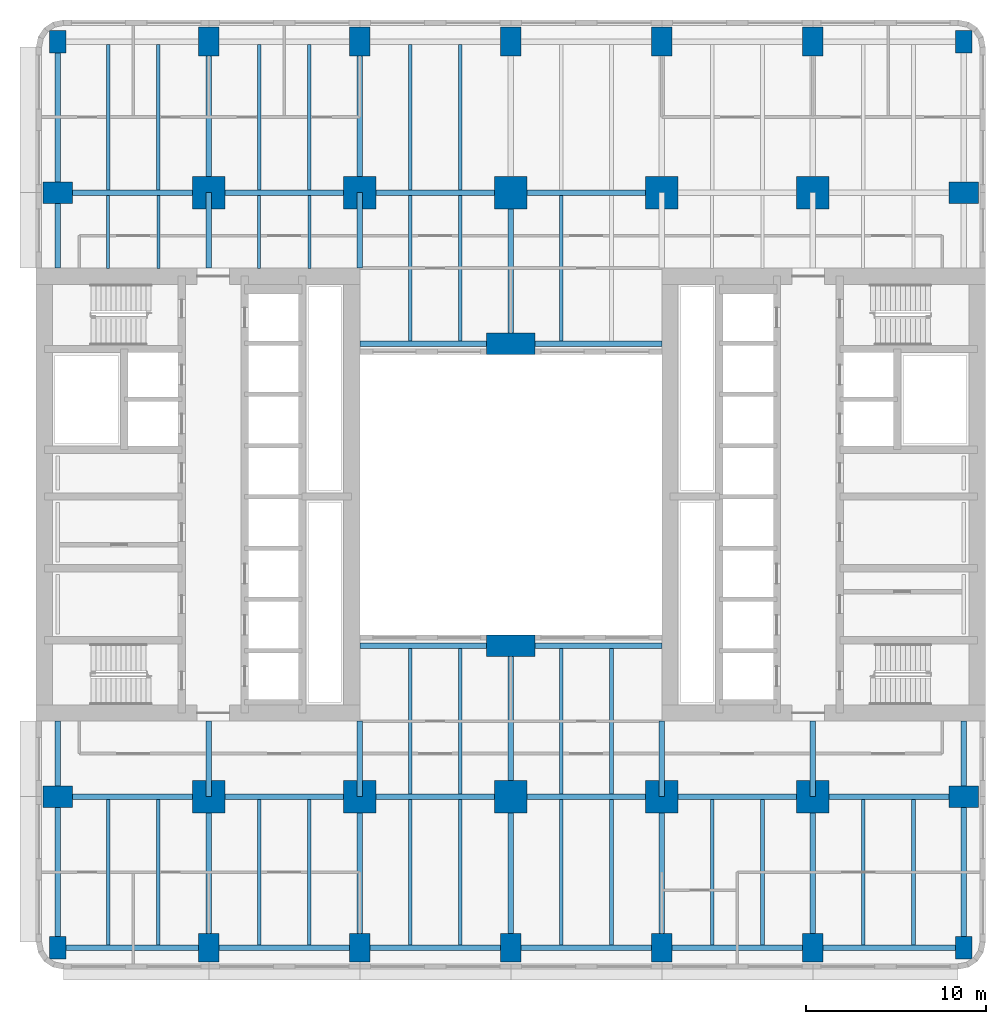
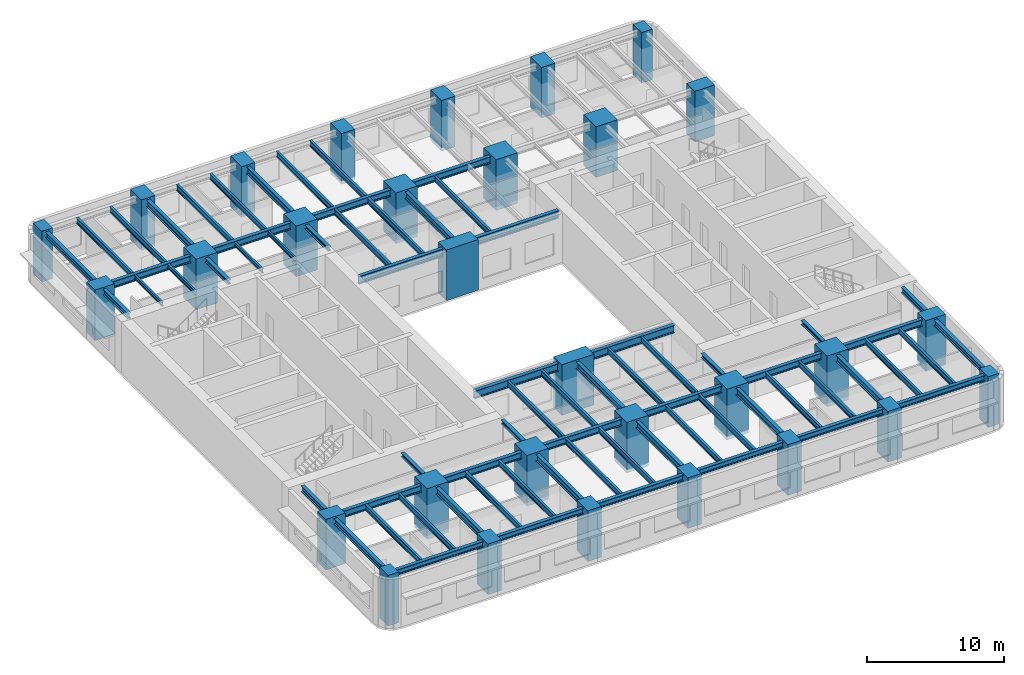
# One storey, part 1 of 14: 70 beams, 30 columns.
"""IFC4 building model written with IfcOpenShell, lengths in metres."""

from ifc_helpers import new_model, si_unit, direction, frame, origin, origin_2d, place, context, subcontext, project, spatial, rectangle, i_section, extrude, material, material_profile, profile_set, type_object, element, save


model = new_model("IFC4")

# Units and contexts
model_context = context("Model", 3, precision=1e-05, world=origin(), true_north=direction((0.0, 1.0)))
body_context = subcontext(model_context, "Body", "Model", "MODEL_VIEW")
ifc_project = project(units=[si_unit("LENGTHUNIT", "METRE"), si_unit("AREAUNIT", "SQUARE_METRE"), si_unit("VOLUMEUNIT", "CUBIC_METRE"), si_unit("PLANEANGLEUNIT", "RADIAN"), si_unit("MASSUNIT", "GRAM", prefix="KILO")], contexts=[model_context])

# Site, building, storey
site_placement = place(None, origin())
site = spatial("IfcSite", under=ifc_project, at=site_placement, CompositionType="ELEMENT")
building_placement = place(site_placement, origin())
building = spatial("IfcBuilding", under=site, at=building_placement, Name="Claustro Exchange Tower", CompositionType="ELEMENT")
storey_placement = place(building_placement, frame((0.0, 0.0, 23.39990234375)))
storey = spatial("IfcBuildingStorey", under=building, at=storey_placement, Name="L05", CompositionType="ELEMENT", Elevation=23.39990234375)

# Columns
ifc_material_1 = material(Name="Concrete HA-70 (C70/85)", Category="concrete")
ifc_material_profile_1 = material_profile(ifc_material_1, rectangle(XDim=1.800048828125, YDim=1.800048828125, at=origin_2d()), Name="RC 1800x1800")
ifc_profile_set_1 = profile_set([ifc_material_profile_1], Name="Concrete HA-70 (C70/85)")
column_type_1 = type_object("IfcColumnType", Name="C14 RC 1800x1800 HA-70 column", PredefinedType="COLUMN", material=ifc_profile_set_1)
for number, where, z_axis, x_axis, name in (
    (1, (8.39990234375, 8.39990234375, 0.0), (0.0, 0.0, 1.0), (1.0, 0.0, 0.0), "Column C14 2/B L05"),
    (2, (8.39990234375, 42.0, 0.0), (0.0, 0.0, 1.0), (1.0, 0.0, 0.0), "Column C14 2/F L05"),
    (3, (16.800048828125, 8.39990234375, 0.0), (0.0, 0.0, 1.0), (1.0, 0.0, 0.0), "Column C14 3/B L05"),
    (4, (16.800048828125, 42.0, 0.0), (0.0, 0.0, 1.0), (1.0, 0.0, 0.0), "Column C14 3/F L05"),
    (5, (25.199951171875, 8.39990234375, 0.0), (0.0, 0.0, 1.0), (1.0, 0.0, 0.0), "Column C14 4/B L05"),
    (6, (25.199951171875, 42.0, 0.0), (0.0, 0.0, 1.0), (1.0, 0.0, 0.0), "Column C14 4/F L05"),
    (7, (33.60009765625, 8.39990234375, 0.0), (0.0, 0.0, 1.0), (1.0, 0.0, 0.0), "Column C14 5/B L05"),
    (8, (33.60009765625, 42.0, 0.0), (0.0, 0.0, 1.0), (1.0, 0.0, 0.0), "Column C14 5/F L05"),
    (9, (42.0, 8.39990234375, 0.0), (0.0, 0.0, 1.0), (1.0, 0.0, 0.0), "Column C14 6/B L05"),
    (10, (42.0, 42.0, 0.0), (0.0, 0.0, 1.0), (1.0, 0.0, 0.0), "Column C14 6/F L05"),
):
    element("IfcColumn", number, at=place(storey_placement, frame(where, z_axis=z_axis, x_axis=x_axis)), inside=storey, type_object=column_type_1, Name=name, PredefinedType="COLUMN", context=body_context, shape_type="SweptSolid", body=[
        extrude(rectangle(XDim=1.800048828125, YDim=1.800048828125, at=origin_2d()), origin(), (0.0, 0.0, 1.0), 4.5),
    ])
ifc_material_2 = material(Name="Concrete HA-70 (C70/85)", Category="concrete")
ifc_material_profile_2 = material_profile(ifc_material_2, rectangle(XDim=1.199951171875, YDim=1.64990234375, at=origin_2d()), Name="RC 1200x1650")
ifc_profile_set_2 = profile_set([ifc_material_profile_2], Name="Concrete HA-70 (C70/85)")
column_type_2 = type_object("IfcColumnType", Name="C19 RC 1200x1650 HA-70 perimeter column", PredefinedType="COLUMN", material=ifc_profile_set_2)
for number, where, z_axis, x_axis, name in (
    (11, (0.0, 8.39990234375, 0.0), (0.0, 0.0, 1.0), (0.0, 1.0, 0.0), "Column C19 1/B L05"),
    (12, (0.0, 42.0, 0.0), (0.0, 0.0, 1.0), (0.0, 1.0, 0.0), "Column C19 1/F L05"),
    (13, (50.39990234375, 8.39990234375, 0.0), (0.0, 0.0, 1.0), (0.0, 1.0, 0.0), "Column C19 7/B L05"),
    (14, (50.39990234375, 42.0, 0.0), (0.0, 0.0, 1.0), (0.0, 1.0, 0.0), "Column C19 7/F L05"),
):
    element("IfcColumn", number, at=place(storey_placement, frame(where, z_axis=z_axis, x_axis=x_axis)), inside=storey, type_object=column_type_2, Name=name, PredefinedType="COLUMN", context=body_context, shape_type="SweptSolid", body=[
        extrude(rectangle(XDim=1.199951171875, YDim=1.64990234375, at=origin_2d()), origin(), (0.0, 0.0, 1.0), 4.5),
    ])
ifc_material_3 = material(Name="Concrete HA-70 (C70/85)", Category="concrete")
ifc_material_profile_3 = material_profile(ifc_material_3, rectangle(XDim=1.14990234375, YDim=1.60009765625, at=origin_2d()), Name="RC 1150x1600")
ifc_profile_set_3 = profile_set([ifc_material_profile_3], Name="Concrete HA-70 (C70/85)")
column_type_3 = type_object("IfcColumnType", Name="C20 RC 1150x1600 HA-70 perimeter column", PredefinedType="COLUMN", material=ifc_profile_set_3)
for number, where, z_axis, x_axis, name in (
    (15, (8.39990234375, 0.0, 0.0), (0.0, 0.0, 1.0), (1.0, 0.0, 0.0), "Column C20 2/A L05"),
    (16, (8.39990234375, 50.39990234375, 0.0), (0.0, 0.0, 1.0), (1.0, 0.0, 0.0), "Column C20 2/G L05"),
    (17, (16.800048828125, 0.0, 0.0), (0.0, 0.0, 1.0), (1.0, 0.0, 0.0), "Column C20 3/A L05"),
    (18, (16.800048828125, 50.39990234375, 0.0), (0.0, 0.0, 1.0), (1.0, 0.0, 0.0), "Column C20 3/G L05"),
    (19, (25.199951171875, 0.0, 0.0), (0.0, 0.0, 1.0), (1.0, 0.0, 0.0), "Column C20 4/A L05"),
    (20, (25.199951171875, 50.39990234375, 0.0), (0.0, 0.0, 1.0), (1.0, 0.0, 0.0), "Column C20 4/G L05"),
    (21, (33.60009765625, 0.0, 0.0), (0.0, 0.0, 1.0), (1.0, 0.0, 0.0), "Column C20 5/A L05"),
    (22, (33.60009765625, 50.39990234375, 0.0), (0.0, 0.0, 1.0), (1.0, 0.0, 0.0), "Column C20 5/G L05"),
    (23, (42.0, 0.0, 0.0), (0.0, 0.0, 1.0), (1.0, 0.0, 0.0), "Column C20 6/A L05"),
    (24, (42.0, 50.39990234375, 0.0), (0.0, 0.0, 1.0), (1.0, 0.0, 0.0), "Column C20 6/G L05"),
):
    element("IfcColumn", number, at=place(storey_placement, frame(where, z_axis=z_axis, x_axis=x_axis)), inside=storey, type_object=column_type_3, Name=name, PredefinedType="COLUMN", context=body_context, shape_type="SweptSolid", body=[
        extrude(rectangle(XDim=1.14990234375, YDim=1.60009765625, at=origin_2d()), origin(), (0.0, 0.0, 1.0), 4.5),
    ])
ifc_material_4 = material(Name="Concrete HA-70 (C70/85)", Category="concrete")
ifc_material_profile_4 = material_profile(ifc_material_4, rectangle(XDim=2.699951171875, YDim=1.199951171875, at=origin_2d()), Name="RC 2700x1200")
ifc_profile_set_4 = profile_set([ifc_material_profile_4], Name="Concrete HA-70 (C70/85)")
column_type_4 = type_object("IfcColumnType", Name="C30 RC 2700x1200 HA-70 light well column", PredefinedType="COLUMN", material=ifc_profile_set_4)
for number, where, z_axis, x_axis, name in (
    (25, (25.199951171875, 16.800048828125, 0.0), (0.0, 0.0, 1.0), (1.0, 0.0, 0.0), "Column C30 4/C L05"),
    (26, (25.199951171875, 33.60009765625, 0.0), (0.0, 0.0, 1.0), (1.0, 0.0, 0.0), "Column C30 4/E L05"),
):
    element("IfcColumn", number, at=place(storey_placement, frame(where, z_axis=z_axis, x_axis=x_axis)), inside=storey, type_object=column_type_4, Name=name, PredefinedType="COLUMN", context=body_context, shape_type="SweptSolid", body=[
        extrude(rectangle(XDim=2.699951171875, YDim=1.199951171875, at=origin_2d()), origin(), (0.0, 0.0, 1.0), 4.5),
    ])
ifc_material_5 = material(Name="Concrete HA-70 (C70/85)", Category="concrete")
ifc_material_profile_5 = material_profile(ifc_material_5, rectangle(XDim=0.89990234375, YDim=1.25, at=origin_2d()), Name="RC 900x1250")
ifc_profile_set_5 = profile_set([ifc_material_profile_5], Name="Concrete HA-70 (C70/85)")
column_type_5 = type_object("IfcColumnType", Name="C35 RC 900x1250 HA-70 corner column", PredefinedType="COLUMN", material=ifc_profile_set_5)
for number, where, z_axis, x_axis, name in (
    (27, (0.0, 0.0, 0.0), (0.0, 0.0, 1.0), (1.0, 0.0, 0.0), "Column C35 1/A L05"),
    (28, (0.0, 50.39990234375, 0.0), (0.0, 0.0, 1.0), (1.0, 0.0, 0.0), "Column C35 1/G L05"),
    (29, (50.39990234375, 0.0, 0.0), (0.0, 0.0, 1.0), (1.0, 0.0, 0.0), "Column C35 7/A L05"),
    (30, (50.39990234375, 50.39990234375, 0.0), (0.0, 0.0, 1.0), (1.0, 0.0, 0.0), "Column C35 7/G L05"),
):
    element("IfcColumn", number, at=place(storey_placement, frame(where, z_axis=z_axis, x_axis=x_axis)), inside=storey, type_object=column_type_5, Name=name, PredefinedType="COLUMN", context=body_context, shape_type="SweptSolid", body=[
        extrude(rectangle(XDim=0.89990234375, YDim=1.25, at=origin_2d()), origin(), (0.0, 0.0, 1.0), 4.5),
    ])

# Beams
ifc_material_6 = material(Name="Steel S355", Category="steel")
ifc_material_profile_6 = material_profile(ifc_material_6, i_section(OverallWidth=0.300048828125, OverallDepth=0.60009765625, WebThickness=0.015380859375, FlangeThickness=0.030029296875, FilletRadius=0.027099609375, at=origin_2d()), Name="HE 600 B")
ifc_profile_set_6 = profile_set([ifc_material_profile_6], Name="Steel S355")
beam_type_1 = type_object("IfcBeamType", Name="B1 HE 600 B floor girder", PredefinedType="BEAM", material=ifc_profile_set_6)
for number, where, z_axis, x_axis, name in (
    (31, (8.39990234375, 0.0, 4.0400390625), (0.0, 1.0, 0.0), (-1.0, 0.0, 0.0), "Beam B1 L06"),
    (32, (8.39990234375, 42.0, 4.0400390625), (0.0, 1.0, 0.0), (-1.0, 0.0, 0.0), "Beam B1 L06"),
    (33, (16.800048828125, 0.0, 4.0400390625), (0.0, 1.0, 0.0), (-1.0, 0.0, 0.0), "Beam B1 L06"),
    (34, (16.800048828125, 42.0, 4.0400390625), (0.0, 1.0, 0.0), (-1.0, 0.0, 0.0), "Beam B1 L06"),
    (35, (25.199951171875, 0.0, 4.0400390625), (0.0, 1.0, 0.0), (-1.0, 0.0, 0.0), "Beam B1 L06"),
):
    element("IfcBeam", number, at=place(storey_placement, frame(where, z_axis=z_axis, x_axis=x_axis)), inside=storey, type_object=beam_type_1, Name=name, PredefinedType="BEAM", context=body_context, shape_type="SweptSolid", body=[
        extrude(i_section(OverallWidth=0.300048828125, OverallDepth=0.60009765625, WebThickness=0.015380859375, FlangeThickness=0.030029296875, FilletRadius=0.027099609375, at=origin_2d()), origin(), (0.0, 0.0, 1.0), 8.39990234375),
    ])
beam_1_placement = place(storey_placement, frame((25.199951171875, 8.39990234375, 4.0400390625), z_axis=(0.0, 1.0, 0.0), x_axis=(-1.0, 0.0, 0.0)))
element("IfcBeam", 36, at=beam_1_placement, inside=storey, type_object=beam_type_1, Name="Beam B1 L06", PredefinedType="BEAM", context=body_context, shape_type="SweptSolid", body=[
    extrude(i_section(OverallWidth=0.300048828125, OverallDepth=0.60009765625, WebThickness=0.015380859375, FlangeThickness=0.030029296875, FilletRadius=0.027099609375, at=origin_2d()), origin(), (0.0, 0.0, 1.0), 8.400146484375),
])
for number, where, z_axis, x_axis, name in (
    (37, (25.199951171875, 33.60009765625, 4.0400390625), (0.0, 1.0, 0.0), (-1.0, 0.0, 0.0), "Beam B1 L06"),
    (38, (33.60009765625, 0.0, 4.0400390625), (0.0, 1.0, 0.0), (-1.0, 0.0, 0.0), "Beam B1 L06"),
    (39, (42.0, 0.0, 4.0400390625), (0.0, 1.0, 0.0), (-1.0, 0.0, 0.0), "Beam B1 L06"),
    (40, (0.0, 8.39990234375, 4.0400390625), (1.0, 0.0, 0.0), (0.0, 1.0, 0.0), "Beam B1 L06"),
):
    element("IfcBeam", number, at=place(storey_placement, frame(where, z_axis=z_axis, x_axis=x_axis)), inside=storey, type_object=beam_type_1, Name=name, PredefinedType="BEAM", context=body_context, shape_type="SweptSolid", body=[
        extrude(i_section(OverallWidth=0.300048828125, OverallDepth=0.60009765625, WebThickness=0.015380859375, FlangeThickness=0.030029296875, FilletRadius=0.027099609375, at=origin_2d()), origin(), (0.0, 0.0, 1.0), 8.39990234375),
    ])
beam_2_placement = place(storey_placement, frame((8.39990234375, 8.39990234375, 4.0400390625), z_axis=(1.0, 0.0, 0.0), x_axis=(0.0, 1.0, 0.0)))
element("IfcBeam", 41, at=beam_2_placement, inside=storey, type_object=beam_type_1, Name="Beam B1 L06", PredefinedType="BEAM", context=body_context, shape_type="SweptSolid", body=[
    extrude(i_section(OverallWidth=0.300048828125, OverallDepth=0.60009765625, WebThickness=0.015380859375, FlangeThickness=0.030029296875, FilletRadius=0.027099609375, at=origin_2d()), origin(), (0.0, 0.0, 1.0), 8.400146484375),
])
beam_3_placement = place(storey_placement, frame((16.800048828125, 8.39990234375, 4.0400390625), z_axis=(1.0, 0.0, 0.0), x_axis=(0.0, 1.0, 0.0)))
element("IfcBeam", 42, at=beam_3_placement, inside=storey, type_object=beam_type_1, Name="Beam B1 L06", PredefinedType="BEAM", context=body_context, shape_type="SweptSolid", body=[
    extrude(i_section(OverallWidth=0.300048828125, OverallDepth=0.60009765625, WebThickness=0.015380859375, FlangeThickness=0.030029296875, FilletRadius=0.027099609375, at=origin_2d()), origin(), (0.0, 0.0, 1.0), 8.39990234375),
])
beam_4_placement = place(storey_placement, frame((25.199951171875, 8.39990234375, 4.0400390625), z_axis=(1.0, 0.0, 0.0), x_axis=(0.0, 1.0, 0.0)))
element("IfcBeam", 43, at=beam_4_placement, inside=storey, type_object=beam_type_1, Name="Beam B1 L06", PredefinedType="BEAM", context=body_context, shape_type="SweptSolid", body=[
    extrude(i_section(OverallWidth=0.300048828125, OverallDepth=0.60009765625, WebThickness=0.015380859375, FlangeThickness=0.030029296875, FilletRadius=0.027099609375, at=origin_2d()), origin(), (0.0, 0.0, 1.0), 8.400146484375),
])
for number, where, z_axis, x_axis, name in (
    (44, (33.60009765625, 8.39990234375, 4.0400390625), (1.0, 0.0, 0.0), (0.0, 1.0, 0.0), "Beam B1 L06"),
    (45, (42.0, 8.39990234375, 4.0400390625), (1.0, 0.0, 0.0), (0.0, 1.0, 0.0), "Beam B1 L06"),
    (46, (0.0, 42.0, 4.0400390625), (1.0, 0.0, 0.0), (0.0, 1.0, 0.0), "Beam B1 L06"),
):
    element("IfcBeam", number, at=place(storey_placement, frame(where, z_axis=z_axis, x_axis=x_axis)), inside=storey, type_object=beam_type_1, Name=name, PredefinedType="BEAM", context=body_context, shape_type="SweptSolid", body=[
        extrude(i_section(OverallWidth=0.300048828125, OverallDepth=0.60009765625, WebThickness=0.015380859375, FlangeThickness=0.030029296875, FilletRadius=0.027099609375, at=origin_2d()), origin(), (0.0, 0.0, 1.0), 8.39990234375),
    ])
beam_5_placement = place(storey_placement, frame((8.39990234375, 42.0, 4.0400390625), z_axis=(1.0, 0.0, 0.0), x_axis=(0.0, 1.0, 0.0)))
element("IfcBeam", 47, at=beam_5_placement, inside=storey, type_object=beam_type_1, Name="Beam B1 L06", PredefinedType="BEAM", context=body_context, shape_type="SweptSolid", body=[
    extrude(i_section(OverallWidth=0.300048828125, OverallDepth=0.60009765625, WebThickness=0.015380859375, FlangeThickness=0.030029296875, FilletRadius=0.027099609375, at=origin_2d()), origin(), (0.0, 0.0, 1.0), 8.400146484375),
])
beam_6_placement = place(storey_placement, frame((16.800048828125, 42.0, 4.0400390625), z_axis=(1.0, 0.0, 0.0), x_axis=(0.0, 1.0, 0.0)))
element("IfcBeam", 48, at=beam_6_placement, inside=storey, type_object=beam_type_1, Name="Beam B1 L06", PredefinedType="BEAM", context=body_context, shape_type="SweptSolid", body=[
    extrude(i_section(OverallWidth=0.300048828125, OverallDepth=0.60009765625, WebThickness=0.015380859375, FlangeThickness=0.030029296875, FilletRadius=0.027099609375, at=origin_2d()), origin(), (0.0, 0.0, 1.0), 8.39990234375),
])
beam_7_placement = place(storey_placement, frame((25.199951171875, 42.0, 4.0400390625), z_axis=(1.0, 0.0, 0.0), x_axis=(0.0, 1.0, 0.0)))
element("IfcBeam", 49, at=beam_7_placement, inside=storey, type_object=beam_type_1, Name="Beam B1 L06", PredefinedType="BEAM", context=body_context, shape_type="SweptSolid", body=[
    extrude(i_section(OverallWidth=0.300048828125, OverallDepth=0.60009765625, WebThickness=0.015380859375, FlangeThickness=0.030029296875, FilletRadius=0.027099609375, at=origin_2d()), origin(), (0.0, 0.0, 1.0), 8.400146484375),
])
ifc_material_7 = material(Name="Steel S355", Category="steel")
ifc_material_profile_7 = material_profile(ifc_material_7, i_section(OverallWidth=0.300048828125, OverallDepth=0.68994140625, WebThickness=0.014404296875, FlangeThickness=0.027099609375, FilletRadius=0.027099609375, at=origin_2d()), Name="HE 700 A")
ifc_profile_set_7 = profile_set([ifc_material_profile_7], Name="Steel S355")
beam_type_2 = type_object("IfcBeamType", Name="B13 HE 700 A light well edge girder", PredefinedType="BEAM", material=ifc_profile_set_7)
beam_8_placement = place(storey_placement, frame((16.800048828125, 16.800048828125, 3.9951171875), z_axis=(1.0, 0.0, 0.0), x_axis=(0.0, 1.0, 0.0)))
element("IfcBeam", 50, at=beam_8_placement, inside=storey, type_object=beam_type_2, Name="Beam B13 L06", PredefinedType="BEAM", context=body_context, shape_type="SweptSolid", body=[
    extrude(i_section(OverallWidth=0.300048828125, OverallDepth=0.68994140625, WebThickness=0.014404296875, FlangeThickness=0.027099609375, FilletRadius=0.027099609375, at=origin_2d()), origin(), (0.0, 0.0, 1.0), 8.39990234375),
])
beam_9_placement = place(storey_placement, frame((25.199951171875, 16.800048828125, 3.9951171875), z_axis=(1.0, 0.0, 0.0), x_axis=(0.0, 1.0, 0.0)))
element("IfcBeam", 51, at=beam_9_placement, inside=storey, type_object=beam_type_2, Name="Beam B13 L06", PredefinedType="BEAM", context=body_context, shape_type="SweptSolid", body=[
    extrude(i_section(OverallWidth=0.300048828125, OverallDepth=0.68994140625, WebThickness=0.014404296875, FlangeThickness=0.027099609375, FilletRadius=0.027099609375, at=origin_2d()), origin(), (0.0, 0.0, 1.0), 8.400146484375),
])
beam_10_placement = place(storey_placement, frame((16.800048828125, 33.60009765625, 3.9951171875), z_axis=(1.0, 0.0, 0.0), x_axis=(0.0, 1.0, 0.0)))
element("IfcBeam", 52, at=beam_10_placement, inside=storey, type_object=beam_type_2, Name="Beam B13 L06", PredefinedType="BEAM", context=body_context, shape_type="SweptSolid", body=[
    extrude(i_section(OverallWidth=0.300048828125, OverallDepth=0.68994140625, WebThickness=0.014404296875, FlangeThickness=0.027099609375, FilletRadius=0.027099609375, at=origin_2d()), origin(), (0.0, 0.0, 1.0), 8.39990234375),
])
beam_11_placement = place(storey_placement, frame((25.199951171875, 33.60009765625, 3.9951171875), z_axis=(1.0, 0.0, 0.0), x_axis=(0.0, 1.0, 0.0)))
element("IfcBeam", 53, at=beam_11_placement, inside=storey, type_object=beam_type_2, Name="Beam B13 L06", PredefinedType="BEAM", context=body_context, shape_type="SweptSolid", body=[
    extrude(i_section(OverallWidth=0.300048828125, OverallDepth=0.68994140625, WebThickness=0.014404296875, FlangeThickness=0.027099609375, FilletRadius=0.027099609375, at=origin_2d()), origin(), (0.0, 0.0, 1.0), 8.400146484375),
])
ifc_material_8 = material(Name="Steel S355", Category="steel")
ifc_material_profile_8 = material_profile(ifc_material_8, i_section(OverallWidth=0.169921875, OverallDepth=0.360107421875, WebThickness=0.008056640625, FlangeThickness=0.0126953125, FilletRadius=0.01806640625, at=origin_2d()), Name="IPE 360")
ifc_profile_set_8 = profile_set([ifc_material_profile_8], Name="Steel S355")
beam_type_3 = type_object("IfcBeamType", Name="B16 IPE 360 short-span beam", PredefinedType="BEAM", material=ifc_profile_set_8)
for number, where, z_axis, x_axis, name in (
    (54, (2.800048828125, 37.7900390625, 4.16015625), (0.0, 1.0, 0.0), (-1.0, 0.0, 0.0), "Beam B16 L06"),
    (55, (5.60009765625, 37.7900390625, 4.16015625), (0.0, 1.0, 0.0), (-1.0, 0.0, 0.0), "Beam B16 L06"),
    (56, (11.199951171875, 37.7900390625, 4.16015625), (0.0, 1.0, 0.0), (-1.0, 0.0, 0.0), "Beam B16 L06"),
    (57, (14.0, 37.7900390625, 4.16015625), (0.0, 1.0, 0.0), (-1.0, 0.0, 0.0), "Beam B16 L06"),
):
    element("IfcBeam", number, at=place(storey_placement, frame(where, z_axis=z_axis, x_axis=x_axis)), inside=storey, type_object=beam_type_3, Name=name, PredefinedType="BEAM", context=body_context, shape_type="SweptSolid", body=[
        extrude(i_section(OverallWidth=0.169921875, OverallDepth=0.360107421875, WebThickness=0.008056640625, FlangeThickness=0.0126953125, FilletRadius=0.01806640625, at=origin_2d()), origin(), (0.0, 0.0, 1.0), 4.06005859375),
    ])
ifc_material_9 = material(Name="Steel S355", Category="steel")
ifc_material_profile_9 = material_profile(ifc_material_9, i_section(OverallWidth=0.199951171875, OverallDepth=0.5, WebThickness=0.01025390625, FlangeThickness=0.01611328125, FilletRadius=0.02099609375, at=origin_2d()), Name="IPE 500")
ifc_profile_set_9 = profile_set([ifc_material_profile_9], Name="Steel S355")
beam_type_4 = type_object("IfcBeamType", Name="B2 IPE 500 secondary beam", PredefinedType="BEAM", material=ifc_profile_set_9)
for number, where, z_axis, x_axis, name in (
    (58, (2.800048828125, 0.14990234375, 4.090087890625), (0.0, 1.0, 0.0), (-1.0, 0.0, 0.0), "Beam B2 L06"),
    (59, (5.60009765625, 0.14990234375, 4.090087890625), (0.0, 1.0, 0.0), (-1.0, 0.0, 0.0), "Beam B2 L06"),
    (60, (2.800048828125, 42.14990234375, 4.090087890625), (0.0, 1.0, 0.0), (-1.0, 0.0, 0.0), "Beam B2 L06"),
    (61, (5.60009765625, 42.14990234375, 4.090087890625), (0.0, 1.0, 0.0), (-1.0, 0.0, 0.0), "Beam B2 L06"),
    (62, (11.199951171875, 0.14990234375, 4.090087890625), (0.0, 1.0, 0.0), (-1.0, 0.0, 0.0), "Beam B2 L06"),
    (63, (14.0, 0.14990234375, 4.090087890625), (0.0, 1.0, 0.0), (-1.0, 0.0, 0.0), "Beam B2 L06"),
    (64, (11.199951171875, 42.14990234375, 4.090087890625), (0.0, 1.0, 0.0), (-1.0, 0.0, 0.0), "Beam B2 L06"),
    (65, (14.0, 42.14990234375, 4.090087890625), (0.0, 1.0, 0.0), (-1.0, 0.0, 0.0), "Beam B2 L06"),
    (66, (19.60009765625, 0.14990234375, 4.090087890625), (0.0, 1.0, 0.0), (-1.0, 0.0, 0.0), "Beam B2 L06"),
    (67, (22.39990234375, 0.14990234375, 4.090087890625), (0.0, 1.0, 0.0), (-1.0, 0.0, 0.0), "Beam B2 L06"),
):
    element("IfcBeam", number, at=place(storey_placement, frame(where, z_axis=z_axis, x_axis=x_axis)), inside=storey, type_object=beam_type_4, Name=name, PredefinedType="BEAM", context=body_context, shape_type="SweptSolid", body=[
        extrude(i_section(OverallWidth=0.199951171875, OverallDepth=0.5, WebThickness=0.01025390625, FlangeThickness=0.01611328125, FilletRadius=0.02099609375, at=origin_2d()), origin(), (0.0, 0.0, 1.0), 8.10009765625),
    ])
for number, where, z_axis, x_axis, name in (
    (68, (19.60009765625, 8.550048828125, 4.090087890625), (0.0, 1.0, 0.0), (-1.0, 0.0, 0.0), "Beam B2 L06"),
    (69, (22.39990234375, 8.550048828125, 4.090087890625), (0.0, 1.0, 0.0), (-1.0, 0.0, 0.0), "Beam B2 L06"),
):
    element("IfcBeam", number, at=place(storey_placement, frame(where, z_axis=z_axis, x_axis=x_axis)), inside=storey, type_object=beam_type_4, Name=name, PredefinedType="BEAM", context=body_context, shape_type="SweptSolid", body=[
        extrude(i_section(OverallWidth=0.199951171875, OverallDepth=0.5, WebThickness=0.01025390625, FlangeThickness=0.01611328125, FilletRadius=0.02099609375, at=origin_2d()), origin(), (0.0, 0.0, 1.0), 8.099853515625),
    ])
for number, where, z_axis, x_axis, name in (
    (70, (19.60009765625, 33.75, 4.090087890625), (0.0, 1.0, 0.0), (-1.0, 0.0, 0.0), "Beam B2 L06"),
    (71, (22.39990234375, 33.75, 4.090087890625), (0.0, 1.0, 0.0), (-1.0, 0.0, 0.0), "Beam B2 L06"),
    (72, (19.60009765625, 42.14990234375, 4.090087890625), (0.0, 1.0, 0.0), (-1.0, 0.0, 0.0), "Beam B2 L06"),
    (73, (22.39990234375, 42.14990234375, 4.090087890625), (0.0, 1.0, 0.0), (-1.0, 0.0, 0.0), "Beam B2 L06"),
    (74, (28.0, 0.14990234375, 4.090087890625), (0.0, 1.0, 0.0), (-1.0, 0.0, 0.0), "Beam B2 L06"),
    (75, (30.800048828125, 0.14990234375, 4.090087890625), (0.0, 1.0, 0.0), (-1.0, 0.0, 0.0), "Beam B2 L06"),
):
    element("IfcBeam", number, at=place(storey_placement, frame(where, z_axis=z_axis, x_axis=x_axis)), inside=storey, type_object=beam_type_4, Name=name, PredefinedType="BEAM", context=body_context, shape_type="SweptSolid", body=[
        extrude(i_section(OverallWidth=0.199951171875, OverallDepth=0.5, WebThickness=0.01025390625, FlangeThickness=0.01611328125, FilletRadius=0.02099609375, at=origin_2d()), origin(), (0.0, 0.0, 1.0), 8.10009765625),
    ])
for number, where, z_axis, x_axis, name in (
    (76, (28.0, 8.550048828125, 4.090087890625), (0.0, 1.0, 0.0), (-1.0, 0.0, 0.0), "Beam B2 L06"),
    (77, (30.800048828125, 8.550048828125, 4.090087890625), (0.0, 1.0, 0.0), (-1.0, 0.0, 0.0), "Beam B2 L06"),
):
    element("IfcBeam", number, at=place(storey_placement, frame(where, z_axis=z_axis, x_axis=x_axis)), inside=storey, type_object=beam_type_4, Name=name, PredefinedType="BEAM", context=body_context, shape_type="SweptSolid", body=[
        extrude(i_section(OverallWidth=0.199951171875, OverallDepth=0.5, WebThickness=0.01025390625, FlangeThickness=0.01611328125, FilletRadius=0.02099609375, at=origin_2d()), origin(), (0.0, 0.0, 1.0), 8.099853515625),
    ])
for number, where, z_axis, x_axis, name in (
    (78, (28.0, 33.75, 4.090087890625), (0.0, 1.0, 0.0), (-1.0, 0.0, 0.0), "Beam B2 L06"),
    (79, (36.39990234375, 0.14990234375, 4.090087890625), (0.0, 1.0, 0.0), (-1.0, 0.0, 0.0), "Beam B2 L06"),
    (80, (39.199951171875, 0.14990234375, 4.090087890625), (0.0, 1.0, 0.0), (-1.0, 0.0, 0.0), "Beam B2 L06"),
    (81, (44.800048828125, 0.14990234375, 4.090087890625), (0.0, 1.0, 0.0), (-1.0, 0.0, 0.0), "Beam B2 L06"),
    (82, (47.60009765625, 0.14990234375, 4.090087890625), (0.0, 1.0, 0.0), (-1.0, 0.0, 0.0), "Beam B2 L06"),
):
    element("IfcBeam", number, at=place(storey_placement, frame(where, z_axis=z_axis, x_axis=x_axis)), inside=storey, type_object=beam_type_4, Name=name, PredefinedType="BEAM", context=body_context, shape_type="SweptSolid", body=[
        extrude(i_section(OverallWidth=0.199951171875, OverallDepth=0.5, WebThickness=0.01025390625, FlangeThickness=0.01611328125, FilletRadius=0.02099609375, at=origin_2d()), origin(), (0.0, 0.0, 1.0), 8.10009765625),
    ])
ifc_material_10 = material(Name="Steel S355", Category="steel")
ifc_material_profile_10 = material_profile(ifc_material_10, i_section(OverallWidth=0.300048828125, OverallDepth=0.360107421875, WebThickness=0.012451171875, FlangeThickness=0.0224609375, FilletRadius=0.027099609375, at=origin_2d()), Name="HE 360 B")
ifc_profile_set_10 = profile_set([ifc_material_profile_10], Name="Steel S355")
beam_type_5 = type_object("IfcBeamType", Name="B29 HE 360 B column to core link beam", PredefinedType="BEAM", material=ifc_profile_set_10)
beam_12_placement = place(storey_placement, frame((8.39990234375, 8.39990234375, 4.16015625), z_axis=(0.0, 1.0, 0.0), x_axis=(-1.0, 0.0, 0.0)))
element("IfcBeam", 83, at=beam_12_placement, inside=storey, type_object=beam_type_5, Name="Beam B29 L06", PredefinedType="BEAM", context=body_context, shape_type="SweptSolid", body=[
    extrude(i_section(OverallWidth=0.300048828125, OverallDepth=0.360107421875, WebThickness=0.012451171875, FlangeThickness=0.0224609375, FilletRadius=0.027099609375, at=origin_2d()), origin(), (0.0, 0.0, 1.0), 4.2001953125),
])
beam_13_placement = place(storey_placement, frame((8.39990234375, 37.800048828125, 4.16015625), z_axis=(0.0, 1.0, 0.0), x_axis=(-1.0, 0.0, 0.0)))
element("IfcBeam", 84, at=beam_13_placement, inside=storey, type_object=beam_type_5, Name="Beam B29 L06", PredefinedType="BEAM", context=body_context, shape_type="SweptSolid", body=[
    extrude(i_section(OverallWidth=0.300048828125, OverallDepth=0.360107421875, WebThickness=0.012451171875, FlangeThickness=0.0224609375, FilletRadius=0.027099609375, at=origin_2d()), origin(), (0.0, 0.0, 1.0), 4.199951171875),
])
beam_14_placement = place(storey_placement, frame((16.800048828125, 8.39990234375, 4.16015625), z_axis=(0.0, 1.0, 0.0), x_axis=(-1.0, 0.0, 0.0)))
element("IfcBeam", 85, at=beam_14_placement, inside=storey, type_object=beam_type_5, Name="Beam B29 L06", PredefinedType="BEAM", context=body_context, shape_type="SweptSolid", body=[
    extrude(i_section(OverallWidth=0.300048828125, OverallDepth=0.360107421875, WebThickness=0.012451171875, FlangeThickness=0.0224609375, FilletRadius=0.027099609375, at=origin_2d()), origin(), (0.0, 0.0, 1.0), 4.2001953125),
])
beam_15_placement = place(storey_placement, frame((16.800048828125, 37.800048828125, 4.16015625), z_axis=(0.0, 1.0, 0.0), x_axis=(-1.0, 0.0, 0.0)))
element("IfcBeam", 86, at=beam_15_placement, inside=storey, type_object=beam_type_5, Name="Beam B29 L06", PredefinedType="BEAM", context=body_context, shape_type="SweptSolid", body=[
    extrude(i_section(OverallWidth=0.300048828125, OverallDepth=0.360107421875, WebThickness=0.012451171875, FlangeThickness=0.0224609375, FilletRadius=0.027099609375, at=origin_2d()), origin(), (0.0, 0.0, 1.0), 4.199951171875),
])
for number, where, z_axis, x_axis, name in (
    (87, (33.60009765625, 8.39990234375, 4.16015625), (0.0, 1.0, 0.0), (-1.0, 0.0, 0.0), "Beam B29 L06"),
    (88, (42.0, 8.39990234375, 4.16015625), (0.0, 1.0, 0.0), (-1.0, 0.0, 0.0), "Beam B29 L06"),
):
    element("IfcBeam", number, at=place(storey_placement, frame(where, z_axis=z_axis, x_axis=x_axis)), inside=storey, type_object=beam_type_5, Name=name, PredefinedType="BEAM", context=body_context, shape_type="SweptSolid", body=[
        extrude(i_section(OverallWidth=0.300048828125, OverallDepth=0.360107421875, WebThickness=0.012451171875, FlangeThickness=0.0224609375, FilletRadius=0.027099609375, at=origin_2d()), origin(), (0.0, 0.0, 1.0), 4.2001953125),
    ])
ifc_material_11 = material(Name="Steel S355", Category="steel")
ifc_material_profile_11 = material_profile(ifc_material_11, i_section(OverallWidth=0.300048828125, OverallDepth=0.5, WebThickness=0.014404296875, FlangeThickness=0.028076171875, FilletRadius=0.027099609375, at=origin_2d()), Name="HE 500 B")
ifc_profile_set_11 = profile_set([ifc_material_profile_11], Name="Steel S355")
beam_type_6 = type_object("IfcBeamType", Name="B3 HE 500 B spandrel edge girder", PredefinedType="SPANDREL", material=ifc_profile_set_11)
beam_16_placement = place(storey_placement, frame((0.0, 0.0, 4.090087890625), z_axis=(0.0, 1.0, 0.0), x_axis=(-1.0, 0.0, 0.0)))
element("IfcBeam", 89, at=beam_16_placement, inside=storey, type_object=beam_type_6, Name="Beam B3 L06", PredefinedType="SPANDREL", context=body_context, shape_type="SweptSolid", body=[
    extrude(i_section(OverallWidth=0.300048828125, OverallDepth=0.5, WebThickness=0.014404296875, FlangeThickness=0.028076171875, FilletRadius=0.027099609375, at=origin_2d()), origin(), (0.0, 0.0, 1.0), 8.39990234375),
])
beam_17_placement = place(storey_placement, frame((0.0, 8.39990234375, 4.090087890625), z_axis=(0.0, 1.0, 0.0), x_axis=(-1.0, 0.0, 0.0)))
element("IfcBeam", 90, at=beam_17_placement, inside=storey, type_object=beam_type_6, Name="Beam B3 L06", PredefinedType="SPANDREL", context=body_context, shape_type="SweptSolid", body=[
    extrude(i_section(OverallWidth=0.300048828125, OverallDepth=0.5, WebThickness=0.014404296875, FlangeThickness=0.028076171875, FilletRadius=0.027099609375, at=origin_2d()), origin(), (0.0, 0.0, 1.0), 4.2001953125),
])
beam_18_placement = place(storey_placement, frame((0.0, 37.800048828125, 4.090087890625), z_axis=(0.0, 1.0, 0.0), x_axis=(-1.0, 0.0, 0.0)))
element("IfcBeam", 91, at=beam_18_placement, inside=storey, type_object=beam_type_6, Name="Beam B3 L06", PredefinedType="SPANDREL", context=body_context, shape_type="SweptSolid", body=[
    extrude(i_section(OverallWidth=0.300048828125, OverallDepth=0.5, WebThickness=0.014404296875, FlangeThickness=0.028076171875, FilletRadius=0.027099609375, at=origin_2d()), origin(), (0.0, 0.0, 1.0), 4.199951171875),
])
for number, where, z_axis, x_axis, name in (
    (92, (0.0, 42.0, 4.090087890625), (0.0, 1.0, 0.0), (-1.0, 0.0, 0.0), "Beam B3 L06"),
    (93, (50.39990234375, 0.0, 4.090087890625), (0.0, 1.0, 0.0), (-1.0, 0.0, 0.0), "Beam B3 L06"),
):
    element("IfcBeam", number, at=place(storey_placement, frame(where, z_axis=z_axis, x_axis=x_axis)), inside=storey, type_object=beam_type_6, Name=name, PredefinedType="SPANDREL", context=body_context, shape_type="SweptSolid", body=[
        extrude(i_section(OverallWidth=0.300048828125, OverallDepth=0.5, WebThickness=0.014404296875, FlangeThickness=0.028076171875, FilletRadius=0.027099609375, at=origin_2d()), origin(), (0.0, 0.0, 1.0), 8.39990234375),
    ])
beam_19_placement = place(storey_placement, frame((50.39990234375, 8.39990234375, 4.090087890625), z_axis=(0.0, 1.0, 0.0), x_axis=(-1.0, 0.0, 0.0)))
element("IfcBeam", 94, at=beam_19_placement, inside=storey, type_object=beam_type_6, Name="Beam B3 L06", PredefinedType="SPANDREL", context=body_context, shape_type="SweptSolid", body=[
    extrude(i_section(OverallWidth=0.300048828125, OverallDepth=0.5, WebThickness=0.014404296875, FlangeThickness=0.028076171875, FilletRadius=0.027099609375, at=origin_2d()), origin(), (0.0, 0.0, 1.0), 4.2001953125),
])
beam_20_placement = place(storey_placement, frame((0.0, 0.0, 4.090087890625), z_axis=(1.0, 0.0, 0.0), x_axis=(0.0, 1.0, 0.0)))
element("IfcBeam", 95, at=beam_20_placement, inside=storey, type_object=beam_type_6, Name="Beam B3 L06", PredefinedType="SPANDREL", context=body_context, shape_type="SweptSolid", body=[
    extrude(i_section(OverallWidth=0.300048828125, OverallDepth=0.5, WebThickness=0.014404296875, FlangeThickness=0.028076171875, FilletRadius=0.027099609375, at=origin_2d()), origin(), (0.0, 0.0, 1.0), 8.39990234375),
])
beam_21_placement = place(storey_placement, frame((8.39990234375, 0.0, 4.090087890625), z_axis=(1.0, 0.0, 0.0), x_axis=(0.0, 1.0, 0.0)))
element("IfcBeam", 96, at=beam_21_placement, inside=storey, type_object=beam_type_6, Name="Beam B3 L06", PredefinedType="SPANDREL", context=body_context, shape_type="SweptSolid", body=[
    extrude(i_section(OverallWidth=0.300048828125, OverallDepth=0.5, WebThickness=0.014404296875, FlangeThickness=0.028076171875, FilletRadius=0.027099609375, at=origin_2d()), origin(), (0.0, 0.0, 1.0), 8.400146484375),
])
beam_22_placement = place(storey_placement, frame((16.800048828125, 0.0, 4.090087890625), z_axis=(1.0, 0.0, 0.0), x_axis=(0.0, 1.0, 0.0)))
element("IfcBeam", 97, at=beam_22_placement, inside=storey, type_object=beam_type_6, Name="Beam B3 L06", PredefinedType="SPANDREL", context=body_context, shape_type="SweptSolid", body=[
    extrude(i_section(OverallWidth=0.300048828125, OverallDepth=0.5, WebThickness=0.014404296875, FlangeThickness=0.028076171875, FilletRadius=0.027099609375, at=origin_2d()), origin(), (0.0, 0.0, 1.0), 8.39990234375),
])
beam_23_placement = place(storey_placement, frame((25.199951171875, 0.0, 4.090087890625), z_axis=(1.0, 0.0, 0.0), x_axis=(0.0, 1.0, 0.0)))
element("IfcBeam", 98, at=beam_23_placement, inside=storey, type_object=beam_type_6, Name="Beam B3 L06", PredefinedType="SPANDREL", context=body_context, shape_type="SweptSolid", body=[
    extrude(i_section(OverallWidth=0.300048828125, OverallDepth=0.5, WebThickness=0.014404296875, FlangeThickness=0.028076171875, FilletRadius=0.027099609375, at=origin_2d()), origin(), (0.0, 0.0, 1.0), 8.400146484375),
])
for number, where, z_axis, x_axis, name in (
    (99, (33.60009765625, 0.0, 4.090087890625), (1.0, 0.0, 0.0), (0.0, 1.0, 0.0), "Beam B3 L06"),
    (100, (42.0, 0.0, 4.090087890625), (1.0, 0.0, 0.0), (0.0, 1.0, 0.0), "Beam B3 L06"),
):
    element("IfcBeam", number, at=place(storey_placement, frame(where, z_axis=z_axis, x_axis=x_axis)), inside=storey, type_object=beam_type_6, Name=name, PredefinedType="SPANDREL", context=body_context, shape_type="SweptSolid", body=[
        extrude(i_section(OverallWidth=0.300048828125, OverallDepth=0.5, WebThickness=0.014404296875, FlangeThickness=0.028076171875, FilletRadius=0.027099609375, at=origin_2d()), origin(), (0.0, 0.0, 1.0), 8.39990234375),
    ])

save(model, "model.ifc")
